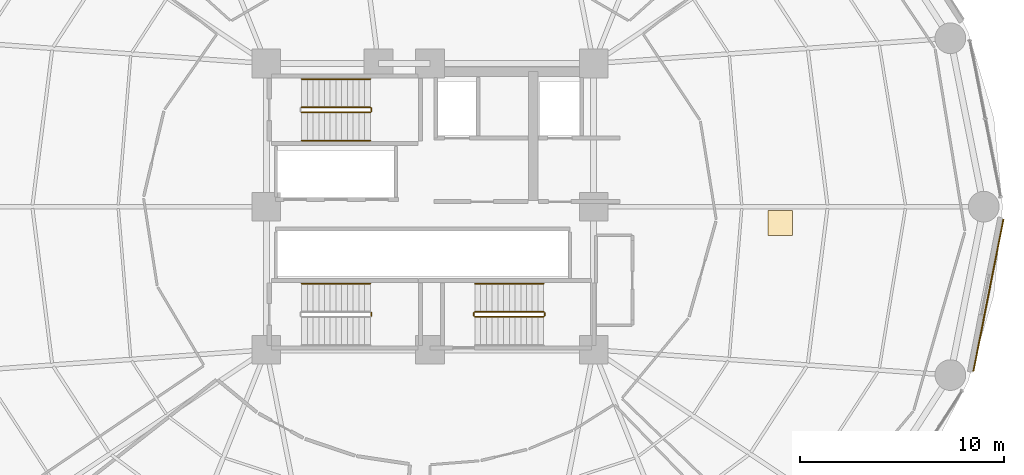
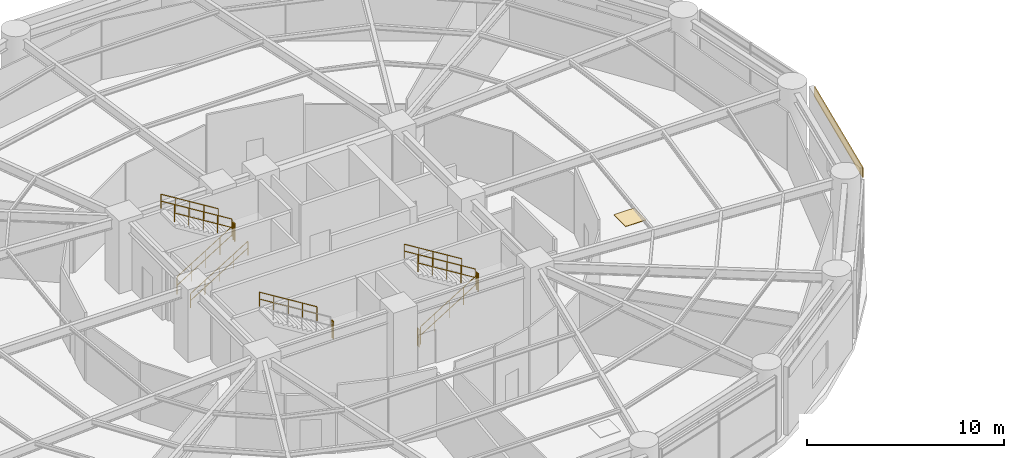
# One storey, part 45 of 46: 12 railings, 2 coverings.
"""IFC4 building model written with IfcOpenShell, lengths in metres."""

from ifc_helpers import new_model, si_unit, direction, frame, origin, origin_2d, place, context, subcontext, project, spatial, polyline, rectangle, outline, extrude, source, transform, mapped, material, layer, layer_set, type_object, element, save


model = new_model("IFC4")

# Units and contexts
model_context = context("Model", 3, precision=1e-05, world=origin(), true_north=direction((0.0, 1.0)))
body_context = subcontext(model_context, "Body", "Model", "MODEL_VIEW")
ifc_project = project(units=[si_unit("LENGTHUNIT", "METRE"), si_unit("AREAUNIT", "SQUARE_METRE"), si_unit("VOLUMEUNIT", "CUBIC_METRE"), si_unit("PLANEANGLEUNIT", "RADIAN"), si_unit("MASSUNIT", "GRAM", prefix="KILO")], contexts=[model_context])

# Site, building, storey
site_placement = place(None, origin())
site = spatial("IfcSite", under=ifc_project, at=site_placement, CompositionType="ELEMENT")
building_placement = place(site_placement, origin())
building = spatial("IfcBuilding", under=site, at=building_placement, Name="Kelanora Arch Commons", CompositionType="ELEMENT")
storey_placement = place(building_placement, frame((0.0, 0.0, 18.0)))
storey = spatial("IfcBuildingStorey", under=building, at=storey_placement, Name="L04", CompositionType="ELEMENT", Elevation=18.0)

# Railings
ifc_material_1 = material(Name="Painted steel stair well guard", Category="steel")
railing_type_1 = type_object("IfcRailingType", Name="RAIL-STAIR-GRD", PredefinedType="GUARDRAIL", material=ifc_material_1)
railing_1_placement = place(storey_placement, frame((67.719970703125, 62.610107421875, 0.173095703125)))
element("IfcRailing", 1, at=railing_1_placement, inside=storey, type_object=railing_type_1, Name="L04 ST-T1 stair guard 1", PredefinedType="GUARDRAIL", context=body_context, shape_type="SweptSolid", body=[
    extrude(outline(polyline([(0.02392578125, 0.0), (0.011962890625, 0.020751953125), (-0.011962890625, 0.020751953125), (-0.02392578125, 0.0), (-0.011962890625, -0.020751953125), (0.011962890625, -0.020751953125), (0.02392578125, 0.0)])), frame((0.0, 0.0, 1.076171875), z_axis=(0.850623216509, 0.0, 0.525775754039), x_axis=(0.0, 1.0, 0.0)), (0.0, 0.0, 1.0), 3.9501953125),
    extrude(outline(polyline([(0.02392578125, 0.0), (0.011962890625, 0.020751953125), (-0.011962890625, 0.020751953125), (-0.02392578125, 0.0), (-0.011962890625, -0.020751953125), (0.011962890625, -0.020751953125), (0.02392578125, 0.0)])), frame((0.0, 0.0, 0.550048828125), z_axis=(0.850623216509, 0.0, 0.525775754039), x_axis=(0.0, 1.0, 0.0)), (0.0, 0.0, 1.0), 3.9501953125),
    extrude(outline(polyline([(0.02099609375, 0.0), (0.010498046875, 0.01806640625), (-0.010498046875, 0.01806640625), (-0.02099609375, 0.0), (-0.010498046875, -0.01806640625), (0.010498046875, -0.01806640625), (0.02099609375, 0.0)])), origin(), (0.0, 0.0, 1.0), 1.052001953125),
    extrude(outline(polyline([(0.02099609375, 0.0), (0.010498046875, 0.01806640625), (-0.010498046875, 0.01806640625), (-0.02099609375, 0.0), (-0.010498046875, -0.01806640625), (0.010498046875, -0.01806640625), (0.02099609375, 0.0)])), frame((0.840087890625, 0.0, 0.519287109375)), (0.0, 0.0, 1.0), 1.052001953125),
    extrude(outline(polyline([(0.02099609375, 0.0), (0.010498046875, 0.01806640625), (-0.010498046875, 0.01806640625), (-0.02099609375, 0.0), (-0.010498046875, -0.01806640625), (0.010498046875, -0.01806640625), (0.02099609375, 0.0)])), frame((1.68017578125, 0.0, 1.03857421875)), (0.0, 0.0, 1.0), 1.052001953125),
    extrude(outline(polyline([(0.02099609375, 0.0), (0.010498046875, 0.01806640625), (-0.010498046875, 0.01806640625), (-0.02099609375, 0.0), (-0.010498046875, -0.01806640625), (0.010498046875, -0.01806640625), (0.02099609375, 0.0)])), frame((2.52001953125, 0.0, 1.5576171875)), (0.0, 0.0, 1.0), 1.052001953125),
    extrude(outline(polyline([(0.02099609375, 0.0), (0.010498046875, 0.01806640625), (-0.010498046875, 0.01806640625), (-0.02099609375, 0.0), (-0.010498046875, -0.01806640625), (0.010498046875, -0.01806640625), (0.02099609375, 0.0)])), frame((3.360107421875, 0.0, 2.076904296875)), (0.0, 0.0, 1.0), 1.052001953125),
])
railing_2_placement = place(storey_placement, frame((71.1298828125, 62.659912109375, 2.25)))
element("IfcRailing", 2, at=railing_2_placement, inside=storey, type_object=railing_type_1, Name="L04 ST-T1 stair guard 2", PredefinedType="GUARDRAIL", context=body_context, shape_type="SweptSolid", body=[
    extrude(outline(polyline([(0.02392578125, 0.0), (0.011962890625, 0.020751953125), (-0.011962890625, 0.020751953125), (-0.02392578125, 0.0), (-0.011962890625, -0.020751953125), (0.011962890625, -0.020751953125), (0.02392578125, 0.0)])), frame((0.0, 0.0, 1.076171875), z_axis=(0.0, 1.0, 0.0), x_axis=(-1.0, 0.0, 0.0)), (0.0, 0.0, 1.0), 0.150146484375),
    extrude(outline(polyline([(0.02392578125, 0.0), (0.011962890625, 0.020751953125), (-0.011962890625, 0.020751953125), (-0.02392578125, 0.0), (-0.011962890625, -0.020751953125), (0.011962890625, -0.020751953125), (0.02392578125, 0.0)])), frame((0.0, 0.0, 0.550048828125), z_axis=(0.0, 1.0, 0.0), x_axis=(-1.0, 0.0, 0.0)), (0.0, 0.0, 1.0), 0.150146484375),
    extrude(outline(polyline([(0.02099609375, 0.0), (0.010498046875, 0.01806640625), (-0.010498046875, 0.01806640625), (-0.02099609375, 0.0), (-0.010498046875, -0.01806640625), (0.010498046875, -0.01806640625), (0.02099609375, 0.0)])), origin(), (0.0, 0.0, 1.0), 1.052001953125),
    extrude(outline(polyline([(0.02099609375, 0.0), (0.010498046875, 0.01806640625), (-0.010498046875, 0.01806640625), (-0.02099609375, 0.0), (-0.010498046875, -0.01806640625), (0.010498046875, -0.01806640625), (0.02099609375, 0.0)])), frame((0.0, 0.150146484375, 0.0)), (0.0, 0.0, 1.0), 1.052001953125),
])
railing_3_placement = place(storey_placement, frame((71.080078125, 62.860107421875, 2.423095703125)))
element("IfcRailing", 3, at=railing_3_placement, inside=storey, type_object=railing_type_1, Name="L04 ST-T1 stair guard 3", PredefinedType="GUARDRAIL", context=body_context, shape_type="SweptSolid", body=[
    extrude(outline(polyline([(0.02392578125, 0.0), (0.011962890625, 0.020751953125), (-0.011962890625, 0.020751953125), (-0.02392578125, 0.0), (-0.011962890625, -0.020751953125), (0.011962890625, -0.020751953125), (0.02392578125, 0.0)])), frame((0.0, 0.0, 1.076171875), z_axis=(-0.850623216509, 0.0, 0.525775754039), x_axis=(0.0, -1.0, 0.0)), (0.0, 0.0, 1.0), 3.9501953125),
    extrude(outline(polyline([(0.02392578125, 0.0), (0.011962890625, 0.020751953125), (-0.011962890625, 0.020751953125), (-0.02392578125, 0.0), (-0.011962890625, -0.020751953125), (0.011962890625, -0.020751953125), (0.02392578125, 0.0)])), frame((0.0, 0.0, 0.550048828125), z_axis=(-0.850623216509, 0.0, 0.525775754039), x_axis=(0.0, -1.0, 0.0)), (0.0, 0.0, 1.0), 3.9501953125),
    extrude(outline(polyline([(0.02099609375, 0.0), (0.010498046875, 0.01806640625), (-0.010498046875, 0.01806640625), (-0.02099609375, 0.0), (-0.010498046875, -0.01806640625), (0.010498046875, -0.01806640625), (0.02099609375, 0.0)])), origin(), (0.0, 0.0, 1.0), 1.052001953125),
    extrude(outline(polyline([(0.02099609375, 0.0), (0.010498046875, 0.01806640625), (-0.010498046875, 0.01806640625), (-0.02099609375, 0.0), (-0.010498046875, -0.01806640625), (0.010498046875, -0.01806640625), (0.02099609375, 0.0)])), frame((-0.840087890625, 0.0, 0.519287109375)), (0.0, 0.0, 1.0), 1.052001953125),
    extrude(outline(polyline([(0.02099609375, 0.0), (0.010498046875, 0.01806640625), (-0.010498046875, 0.01806640625), (-0.02099609375, 0.0), (-0.010498046875, -0.01806640625), (0.010498046875, -0.01806640625), (0.02099609375, 0.0)])), frame((-1.68017578125, 0.0, 1.03857421875)), (0.0, 0.0, 1.0), 1.052001953125),
    extrude(outline(polyline([(0.02099609375, 0.0), (0.010498046875, 0.01806640625), (-0.010498046875, 0.01806640625), (-0.02099609375, 0.0), (-0.010498046875, -0.01806640625), (0.010498046875, -0.01806640625), (0.02099609375, 0.0)])), frame((-2.52001953125, 0.0, 1.5576171875)), (0.0, 0.0, 1.0), 1.052001953125),
    extrude(outline(polyline([(0.02099609375, 0.0), (0.010498046875, 0.01806640625), (-0.010498046875, 0.01806640625), (-0.02099609375, 0.0), (-0.010498046875, -0.01806640625), (0.010498046875, -0.01806640625), (0.02099609375, 0.0)])), frame((-3.360107421875, 0.0, 2.076904296875)), (0.0, 0.0, 1.0), 1.052001953125),
])
railing_4_placement = place(storey_placement, frame((76.199951171875, 52.610107421875, 0.173095703125)))
element("IfcRailing", 4, at=railing_4_placement, inside=storey, type_object=railing_type_1, Name="L04 ST-T2 stair guard 1", PredefinedType="GUARDRAIL", context=body_context, shape_type="SweptSolid", body=[
    extrude(outline(polyline([(0.02392578125, 0.0), (0.011962890625, 0.020751953125), (-0.011962890625, 0.020751953125), (-0.02392578125, 0.0), (-0.011962890625, -0.020751953125), (0.011962890625, -0.020751953125), (0.02392578125, 0.0)])), frame((0.0, 0.0, 1.076171875), z_axis=(0.850623216509, 0.0, 0.525775754039), x_axis=(0.0, 1.0, 0.0)), (0.0, 0.0, 1.0), 3.9501953125),
    extrude(outline(polyline([(0.02392578125, 0.0), (0.011962890625, 0.020751953125), (-0.011962890625, 0.020751953125), (-0.02392578125, 0.0), (-0.011962890625, -0.020751953125), (0.011962890625, -0.020751953125), (0.02392578125, 0.0)])), frame((0.0, 0.0, 0.550048828125), z_axis=(0.850623216509, 0.0, 0.525775754039), x_axis=(0.0, 1.0, 0.0)), (0.0, 0.0, 1.0), 3.9501953125),
    extrude(outline(polyline([(0.02099609375, 0.0), (0.010498046875, 0.01806640625), (-0.010498046875, 0.01806640625), (-0.02099609375, 0.0), (-0.010498046875, -0.01806640625), (0.010498046875, -0.01806640625), (0.02099609375, 0.0)])), origin(), (0.0, 0.0, 1.0), 1.052001953125),
    extrude(outline(polyline([(0.02099609375, 0.0), (0.010498046875, 0.01806640625), (-0.010498046875, 0.01806640625), (-0.02099609375, 0.0), (-0.010498046875, -0.01806640625), (0.010498046875, -0.01806640625), (0.02099609375, 0.0)])), frame((0.840087890625, 0.0, 0.519287109375)), (0.0, 0.0, 1.0), 1.052001953125),
    extrude(outline(polyline([(0.02099609375, 0.0), (0.010498046875, 0.01806640625), (-0.010498046875, 0.01806640625), (-0.02099609375, 0.0), (-0.010498046875, -0.01806640625), (0.010498046875, -0.01806640625), (0.02099609375, 0.0)])), frame((1.68017578125, 0.0, 1.03857421875)), (0.0, 0.0, 1.0), 1.052001953125),
    extrude(outline(polyline([(0.02099609375, 0.0), (0.010498046875, 0.01806640625), (-0.010498046875, 0.01806640625), (-0.02099609375, 0.0), (-0.010498046875, -0.01806640625), (0.010498046875, -0.01806640625), (0.02099609375, 0.0)])), frame((2.52001953125, 0.0, 1.5576171875)), (0.0, 0.0, 1.0), 1.052001953125),
    extrude(outline(polyline([(0.02099609375, 0.0), (0.010498046875, 0.01806640625), (-0.010498046875, 0.01806640625), (-0.02099609375, 0.0), (-0.010498046875, -0.01806640625), (0.010498046875, -0.01806640625), (0.02099609375, 0.0)])), frame((3.360107421875, 0.0, 2.076904296875)), (0.0, 0.0, 1.0), 1.052001953125),
])
railing_5_placement = place(storey_placement, frame((79.610107421875, 52.659912109375, 2.25)))
element("IfcRailing", 5, at=railing_5_placement, inside=storey, type_object=railing_type_1, Name="L04 ST-T2 stair guard 2", PredefinedType="GUARDRAIL", context=body_context, shape_type="SweptSolid", body=[
    extrude(outline(polyline([(0.02392578125, 0.0), (0.011962890625, 0.020751953125), (-0.011962890625, 0.020751953125), (-0.02392578125, 0.0), (-0.011962890625, -0.020751953125), (0.011962890625, -0.020751953125), (0.02392578125, 0.0)])), frame((0.0, 0.0, 1.076171875), z_axis=(0.0, 1.0, 0.0), x_axis=(-1.0, 0.0, 0.0)), (0.0, 0.0, 1.0), 0.150146484375),
    extrude(outline(polyline([(0.02392578125, 0.0), (0.011962890625, 0.020751953125), (-0.011962890625, 0.020751953125), (-0.02392578125, 0.0), (-0.011962890625, -0.020751953125), (0.011962890625, -0.020751953125), (0.02392578125, 0.0)])), frame((0.0, 0.0, 0.550048828125), z_axis=(0.0, 1.0, 0.0), x_axis=(-1.0, 0.0, 0.0)), (0.0, 0.0, 1.0), 0.150146484375),
    extrude(outline(polyline([(0.02099609375, 0.0), (0.010498046875, 0.01806640625), (-0.010498046875, 0.01806640625), (-0.02099609375, 0.0), (-0.010498046875, -0.01806640625), (0.010498046875, -0.01806640625), (0.02099609375, 0.0)])), origin(), (0.0, 0.0, 1.0), 1.052001953125),
    extrude(outline(polyline([(0.02099609375, 0.0), (0.010498046875, 0.01806640625), (-0.010498046875, 0.01806640625), (-0.02099609375, 0.0), (-0.010498046875, -0.01806640625), (0.010498046875, -0.01806640625), (0.02099609375, 0.0)])), frame((0.0, 0.150146484375, 0.0)), (0.0, 0.0, 1.0), 1.052001953125),
])
railing_6_placement = place(storey_placement, frame((79.56005859375, 52.860107421875, 2.423095703125)))
element("IfcRailing", 6, at=railing_6_placement, inside=storey, type_object=railing_type_1, Name="L04 ST-T2 stair guard 3", PredefinedType="GUARDRAIL", context=body_context, shape_type="SweptSolid", body=[
    extrude(outline(polyline([(0.02392578125, 0.0), (0.011962890625, 0.020751953125), (-0.011962890625, 0.020751953125), (-0.02392578125, 0.0), (-0.011962890625, -0.020751953125), (0.011962890625, -0.020751953125), (0.02392578125, 0.0)])), frame((0.0, 0.0, 1.076171875), z_axis=(-0.850623216509, 0.0, 0.525775754039), x_axis=(0.0, -1.0, 0.0)), (0.0, 0.0, 1.0), 3.9501953125),
    extrude(outline(polyline([(0.02392578125, 0.0), (0.011962890625, 0.020751953125), (-0.011962890625, 0.020751953125), (-0.02392578125, 0.0), (-0.011962890625, -0.020751953125), (0.011962890625, -0.020751953125), (0.02392578125, 0.0)])), frame((0.0, 0.0, 0.550048828125), z_axis=(-0.850623216509, 0.0, 0.525775754039), x_axis=(0.0, -1.0, 0.0)), (0.0, 0.0, 1.0), 3.9501953125),
    extrude(outline(polyline([(0.02099609375, 0.0), (0.010498046875, 0.01806640625), (-0.010498046875, 0.01806640625), (-0.02099609375, 0.0), (-0.010498046875, -0.01806640625), (0.010498046875, -0.01806640625), (0.02099609375, 0.0)])), origin(), (0.0, 0.0, 1.0), 1.052001953125),
    extrude(outline(polyline([(0.02099609375, 0.0), (0.010498046875, 0.01806640625), (-0.010498046875, 0.01806640625), (-0.02099609375, 0.0), (-0.010498046875, -0.01806640625), (0.010498046875, -0.01806640625), (0.02099609375, 0.0)])), frame((-0.840087890625, 0.0, 0.519287109375)), (0.0, 0.0, 1.0), 1.052001953125),
    extrude(outline(polyline([(0.02099609375, 0.0), (0.010498046875, 0.01806640625), (-0.010498046875, 0.01806640625), (-0.02099609375, 0.0), (-0.010498046875, -0.01806640625), (0.010498046875, -0.01806640625), (0.02099609375, 0.0)])), frame((-1.68017578125, 0.0, 1.03857421875)), (0.0, 0.0, 1.0), 1.052001953125),
    extrude(outline(polyline([(0.02099609375, 0.0), (0.010498046875, 0.01806640625), (-0.010498046875, 0.01806640625), (-0.02099609375, 0.0), (-0.010498046875, -0.01806640625), (0.010498046875, -0.01806640625), (0.02099609375, 0.0)])), frame((-2.52001953125, 0.0, 1.5576171875)), (0.0, 0.0, 1.0), 1.052001953125),
    extrude(outline(polyline([(0.02099609375, 0.0), (0.010498046875, 0.01806640625), (-0.010498046875, 0.01806640625), (-0.02099609375, 0.0), (-0.010498046875, -0.01806640625), (0.010498046875, -0.01806640625), (0.02099609375, 0.0)])), frame((-3.360107421875, 0.0, 2.076904296875)), (0.0, 0.0, 1.0), 1.052001953125),
])
for number, where, name in (
    (7, (76.14990234375, 52.659912109375, 0.0), "L04 ST-T2 stair guard 4"),
    (8, (71.1298828125, 52.659912109375, 2.25), "L04 ST-T3 stair guard 2"),
):
    element("IfcRailing", number, at=place(storey_placement, frame(where)), inside=storey, type_object=railing_type_1, Name=name, PredefinedType="GUARDRAIL", context=body_context, shape_type="SweptSolid", body=[
        extrude(outline(polyline([(0.02392578125, 0.0), (0.011962890625, 0.020751953125), (-0.011962890625, 0.020751953125), (-0.02392578125, 0.0), (-0.011962890625, -0.020751953125), (0.011962890625, -0.020751953125), (0.02392578125, 0.0)])), frame((0.0, 0.0, 1.076171875), z_axis=(0.0, 1.0, 0.0), x_axis=(-1.0, 0.0, 0.0)), (0.0, 0.0, 1.0), 0.150146484375),
        extrude(outline(polyline([(0.02392578125, 0.0), (0.011962890625, 0.020751953125), (-0.011962890625, 0.020751953125), (-0.02392578125, 0.0), (-0.011962890625, -0.020751953125), (0.011962890625, -0.020751953125), (0.02392578125, 0.0)])), frame((0.0, 0.0, 0.550048828125), z_axis=(0.0, 1.0, 0.0), x_axis=(-1.0, 0.0, 0.0)), (0.0, 0.0, 1.0), 0.150146484375),
        extrude(outline(polyline([(0.02099609375, 0.0), (0.010498046875, 0.01806640625), (-0.010498046875, 0.01806640625), (-0.02099609375, 0.0), (-0.010498046875, -0.01806640625), (0.010498046875, -0.01806640625), (0.02099609375, 0.0)])), origin(), (0.0, 0.0, 1.0), 1.052001953125),
        extrude(outline(polyline([(0.02099609375, 0.0), (0.010498046875, 0.01806640625), (-0.010498046875, 0.01806640625), (-0.02099609375, 0.0), (-0.010498046875, -0.01806640625), (0.010498046875, -0.01806640625), (0.02099609375, 0.0)])), frame((0.0, 0.150146484375, 0.0)), (0.0, 0.0, 1.0), 1.052001953125),
    ])
ifc_material_2 = material(Name="Brushed stainless steel stair handrail", Category="steel")
railing_type_2 = type_object("IfcRailingType", Name="RAIL-STAIR-HND", PredefinedType="HANDRAIL", material=ifc_material_2)
railing_7_placement = place(storey_placement, frame((67.719970703125, 61.22998046875, 0.173095703125)))
element("IfcRailing", 9, at=railing_7_placement, inside=storey, type_object=railing_type_2, Name="L04 ST-T1 stair handrail 1", PredefinedType="HANDRAIL", context=body_context, shape_type="SweptSolid", body=[
    extrude(outline(polyline([(0.02392578125, 0.0), (0.011962890625, 0.020751953125), (-0.011962890625, 0.020751953125), (-0.02392578125, 0.0), (-0.011962890625, -0.020751953125), (0.011962890625, -0.020751953125), (0.02392578125, 0.0)])), frame((0.0, 0.0, 0.8759765625), z_axis=(0.850623216509, 0.0, 0.525775754039), x_axis=(0.0, 1.0, 0.0)), (0.0, 0.0, 1.0), 3.9501953125),
    extrude(outline(polyline([(0.02392578125, 0.0), (0.011962890625, 0.020751953125), (-0.011962890625, 0.020751953125), (-0.02392578125, 0.0), (-0.011962890625, -0.020751953125), (0.011962890625, -0.020751953125), (0.02392578125, 0.0)])), frame((0.0, 0.0, 0.449951171875), z_axis=(0.850623216509, 0.0, 0.525775754039), x_axis=(0.0, 1.0, 0.0)), (0.0, 0.0, 1.0), 3.9501953125),
    extrude(outline(polyline([(0.02099609375, 0.0), (0.010498046875, 0.01806640625), (-0.010498046875, 0.01806640625), (-0.02099609375, 0.0), (-0.010498046875, -0.01806640625), (0.010498046875, -0.01806640625), (0.02099609375, 0.0)])), origin(), (0.0, 0.0, 1.0), 0.851806640625),
    extrude(outline(polyline([(0.02099609375, 0.0), (0.010498046875, 0.01806640625), (-0.010498046875, 0.01806640625), (-0.02099609375, 0.0), (-0.010498046875, -0.01806640625), (0.010498046875, -0.01806640625), (0.02099609375, 0.0)])), frame((0.840087890625, 0.0, 0.519287109375)), (0.0, 0.0, 1.0), 0.851806640625),
    extrude(outline(polyline([(0.02099609375, 0.0), (0.010498046875, 0.01806640625), (-0.010498046875, 0.01806640625), (-0.02099609375, 0.0), (-0.010498046875, -0.01806640625), (0.010498046875, -0.01806640625), (0.02099609375, 0.0)])), frame((1.68017578125, 0.0, 1.03857421875)), (0.0, 0.0, 1.0), 0.851806640625),
    extrude(outline(polyline([(0.02099609375, 0.0), (0.010498046875, 0.01806640625), (-0.010498046875, 0.01806640625), (-0.02099609375, 0.0), (-0.010498046875, -0.01806640625), (0.010498046875, -0.01806640625), (0.02099609375, 0.0)])), frame((2.52001953125, 0.0, 1.5576171875)), (0.0, 0.0, 1.0), 0.851806640625),
    extrude(outline(polyline([(0.02099609375, 0.0), (0.010498046875, 0.01806640625), (-0.010498046875, 0.01806640625), (-0.02099609375, 0.0), (-0.010498046875, -0.01806640625), (0.010498046875, -0.01806640625), (0.02099609375, 0.0)])), frame((3.360107421875, 0.0, 2.076904296875)), (0.0, 0.0, 1.0), 0.851806640625),
])
railing_8_placement = place(storey_placement, frame((71.080078125, 64.239990234375, 2.423095703125)))
element("IfcRailing", 10, at=railing_8_placement, inside=storey, type_object=railing_type_2, Name="L04 ST-T1 stair handrail 2", PredefinedType="HANDRAIL", context=body_context, shape_type="SweptSolid", body=[
    extrude(outline(polyline([(0.02392578125, 0.0), (0.011962890625, 0.020751953125), (-0.011962890625, 0.020751953125), (-0.02392578125, 0.0), (-0.011962890625, -0.020751953125), (0.011962890625, -0.020751953125), (0.02392578125, 0.0)])), frame((0.0, 0.0, 0.8759765625), z_axis=(-0.850623216509, 0.0, 0.525775754039), x_axis=(0.0, -1.0, 0.0)), (0.0, 0.0, 1.0), 3.9501953125),
    extrude(outline(polyline([(0.02392578125, 0.0), (0.011962890625, 0.020751953125), (-0.011962890625, 0.020751953125), (-0.02392578125, 0.0), (-0.011962890625, -0.020751953125), (0.011962890625, -0.020751953125), (0.02392578125, 0.0)])), frame((0.0, 0.0, 0.449951171875), z_axis=(-0.850623216509, 0.0, 0.525775754039), x_axis=(0.0, -1.0, 0.0)), (0.0, 0.0, 1.0), 3.9501953125),
    extrude(outline(polyline([(0.02099609375, 0.0), (0.010498046875, 0.01806640625), (-0.010498046875, 0.01806640625), (-0.02099609375, 0.0), (-0.010498046875, -0.01806640625), (0.010498046875, -0.01806640625), (0.02099609375, 0.0)])), origin(), (0.0, 0.0, 1.0), 0.851806640625),
    extrude(outline(polyline([(0.02099609375, 0.0), (0.010498046875, 0.01806640625), (-0.010498046875, 0.01806640625), (-0.02099609375, 0.0), (-0.010498046875, -0.01806640625), (0.010498046875, -0.01806640625), (0.02099609375, 0.0)])), frame((-0.840087890625, 0.0, 0.519287109375)), (0.0, 0.0, 1.0), 0.851806640625),
    extrude(outline(polyline([(0.02099609375, 0.0), (0.010498046875, 0.01806640625), (-0.010498046875, 0.01806640625), (-0.02099609375, 0.0), (-0.010498046875, -0.01806640625), (0.010498046875, -0.01806640625), (0.02099609375, 0.0)])), frame((-1.68017578125, 0.0, 1.03857421875)), (0.0, 0.0, 1.0), 0.851806640625),
    extrude(outline(polyline([(0.02099609375, 0.0), (0.010498046875, 0.01806640625), (-0.010498046875, 0.01806640625), (-0.02099609375, 0.0), (-0.010498046875, -0.01806640625), (0.010498046875, -0.01806640625), (0.02099609375, 0.0)])), frame((-2.52001953125, 0.0, 1.5576171875)), (0.0, 0.0, 1.0), 0.851806640625),
    extrude(outline(polyline([(0.02099609375, 0.0), (0.010498046875, 0.01806640625), (-0.010498046875, 0.01806640625), (-0.02099609375, 0.0), (-0.010498046875, -0.01806640625), (0.010498046875, -0.01806640625), (0.02099609375, 0.0)])), frame((-3.360107421875, 0.0, 2.076904296875)), (0.0, 0.0, 1.0), 0.851806640625),
])
railing_9_placement = place(storey_placement, frame((79.56005859375, 54.239990234375, 2.423095703125)))
element("IfcRailing", 11, at=railing_9_placement, inside=storey, type_object=railing_type_2, Name="L04 ST-T2 stair handrail 2", PredefinedType="HANDRAIL", context=body_context, shape_type="SweptSolid", body=[
    extrude(outline(polyline([(0.02392578125, 0.0), (0.011962890625, 0.020751953125), (-0.011962890625, 0.020751953125), (-0.02392578125, 0.0), (-0.011962890625, -0.020751953125), (0.011962890625, -0.020751953125), (0.02392578125, 0.0)])), frame((0.0, 0.0, 0.8759765625), z_axis=(-0.850623216509, 0.0, 0.525775754039), x_axis=(0.0, -1.0, 0.0)), (0.0, 0.0, 1.0), 3.9501953125),
    extrude(outline(polyline([(0.02392578125, 0.0), (0.011962890625, 0.020751953125), (-0.011962890625, 0.020751953125), (-0.02392578125, 0.0), (-0.011962890625, -0.020751953125), (0.011962890625, -0.020751953125), (0.02392578125, 0.0)])), frame((0.0, 0.0, 0.449951171875), z_axis=(-0.850623216509, 0.0, 0.525775754039), x_axis=(0.0, -1.0, 0.0)), (0.0, 0.0, 1.0), 3.9501953125),
    extrude(outline(polyline([(0.02099609375, 0.0), (0.010498046875, 0.01806640625), (-0.010498046875, 0.01806640625), (-0.02099609375, 0.0), (-0.010498046875, -0.01806640625), (0.010498046875, -0.01806640625), (0.02099609375, 0.0)])), origin(), (0.0, 0.0, 1.0), 0.851806640625),
    extrude(outline(polyline([(0.02099609375, 0.0), (0.010498046875, 0.01806640625), (-0.010498046875, 0.01806640625), (-0.02099609375, 0.0), (-0.010498046875, -0.01806640625), (0.010498046875, -0.01806640625), (0.02099609375, 0.0)])), frame((-0.840087890625, 0.0, 0.519287109375)), (0.0, 0.0, 1.0), 0.851806640625),
    extrude(outline(polyline([(0.02099609375, 0.0), (0.010498046875, 0.01806640625), (-0.010498046875, 0.01806640625), (-0.02099609375, 0.0), (-0.010498046875, -0.01806640625), (0.010498046875, -0.01806640625), (0.02099609375, 0.0)])), frame((-1.68017578125, 0.0, 1.03857421875)), (0.0, 0.0, 1.0), 0.851806640625),
    extrude(outline(polyline([(0.02099609375, 0.0), (0.010498046875, 0.01806640625), (-0.010498046875, 0.01806640625), (-0.02099609375, 0.0), (-0.010498046875, -0.01806640625), (0.010498046875, -0.01806640625), (0.02099609375, 0.0)])), frame((-2.52001953125, 0.0, 1.5576171875)), (0.0, 0.0, 1.0), 0.851806640625),
    extrude(outline(polyline([(0.02099609375, 0.0), (0.010498046875, 0.01806640625), (-0.010498046875, 0.01806640625), (-0.02099609375, 0.0), (-0.010498046875, -0.01806640625), (0.010498046875, -0.01806640625), (0.02099609375, 0.0)])), frame((-3.360107421875, 0.0, 2.076904296875)), (0.0, 0.0, 1.0), 0.851806640625),
])
railing_10_placement = place(storey_placement, frame((71.080078125, 54.239990234375, 2.423095703125)))
element("IfcRailing", 12, at=railing_10_placement, inside=storey, type_object=railing_type_2, Name="L04 ST-T3 stair handrail 2", PredefinedType="HANDRAIL", context=body_context, shape_type="SweptSolid", body=[
    extrude(outline(polyline([(0.02392578125, 0.0), (0.011962890625, 0.020751953125), (-0.011962890625, 0.020751953125), (-0.02392578125, 0.0), (-0.011962890625, -0.020751953125), (0.011962890625, -0.020751953125), (0.02392578125, 0.0)])), frame((0.0, 0.0, 0.8759765625), z_axis=(-0.850623216509, 0.0, 0.525775754039), x_axis=(0.0, -1.0, 0.0)), (0.0, 0.0, 1.0), 3.9501953125),
    extrude(outline(polyline([(0.02392578125, 0.0), (0.011962890625, 0.020751953125), (-0.011962890625, 0.020751953125), (-0.02392578125, 0.0), (-0.011962890625, -0.020751953125), (0.011962890625, -0.020751953125), (0.02392578125, 0.0)])), frame((0.0, 0.0, 0.449951171875), z_axis=(-0.850623216509, 0.0, 0.525775754039), x_axis=(0.0, -1.0, 0.0)), (0.0, 0.0, 1.0), 3.9501953125),
    extrude(outline(polyline([(0.02099609375, 0.0), (0.010498046875, 0.01806640625), (-0.010498046875, 0.01806640625), (-0.02099609375, 0.0), (-0.010498046875, -0.01806640625), (0.010498046875, -0.01806640625), (0.02099609375, 0.0)])), origin(), (0.0, 0.0, 1.0), 0.851806640625),
    extrude(outline(polyline([(0.02099609375, 0.0), (0.010498046875, 0.01806640625), (-0.010498046875, 0.01806640625), (-0.02099609375, 0.0), (-0.010498046875, -0.01806640625), (0.010498046875, -0.01806640625), (0.02099609375, 0.0)])), frame((-0.840087890625, 0.0, 0.519287109375)), (0.0, 0.0, 1.0), 0.851806640625),
    extrude(outline(polyline([(0.02099609375, 0.0), (0.010498046875, 0.01806640625), (-0.010498046875, 0.01806640625), (-0.02099609375, 0.0), (-0.010498046875, -0.01806640625), (0.010498046875, -0.01806640625), (0.02099609375, 0.0)])), frame((-1.68017578125, 0.0, 1.03857421875)), (0.0, 0.0, 1.0), 0.851806640625),
    extrude(outline(polyline([(0.02099609375, 0.0), (0.010498046875, 0.01806640625), (-0.010498046875, 0.01806640625), (-0.02099609375, 0.0), (-0.010498046875, -0.01806640625), (0.010498046875, -0.01806640625), (0.02099609375, 0.0)])), frame((-2.52001953125, 0.0, 1.5576171875)), (0.0, 0.0, 1.0), 0.851806640625),
    extrude(outline(polyline([(0.02099609375, 0.0), (0.010498046875, 0.01806640625), (-0.010498046875, 0.01806640625), (-0.02099609375, 0.0), (-0.010498046875, -0.01806640625), (0.010498046875, -0.01806640625), (0.02099609375, 0.0)])), frame((-3.360107421875, 0.0, 2.076904296875)), (0.0, 0.0, 1.0), 0.851806640625),
])

# Coverings
ifc_material_3 = material(Name="Glazed architectural terracotta spandrel cladding", Category="masonry")
ifc_layer_1 = layer(ifc_material_3, 0.06005859375)
ifc_layer_set_1 = layer_set([ifc_layer_1], Name="Glazed architectural terracotta spandrel cladding")
covering_type_1 = type_object("IfcCoveringType", Name="COV-CLAD-TC", PredefinedType="CLADDING", material=ifc_layer_set_1)
shared_shape_1 = source(origin(), body_context, "Body", "SweptSolid", [
    extrude(rectangle(XDim=7.58251953125, YDim=0.06005859375, at=origin_2d()), origin(), (0.0, 0.0, 1.0), 0.60009765625),
])
covering_1_placement = place(storey_placement, frame((101.305419921875, 53.66748046875, 3.574951171875), z_axis=(0.0, 0.0, 1.0), x_axis=(0.19374368704, 0.981052181962, 0.0)))
element("IfcCovering", 13, at=covering_1_placement, inside=storey, type_object=covering_type_1, Name="Terracotta Spandrel Cladding L04-B17", PredefinedType="CLADDING", context=body_context, shape_type="MappedRepresentation", body=[
    mapped(shared_shape_1, transform((0.0, 0.0, 0.0), scale=1.0)),
])
ifc_material_4 = material(Name="Polished local granite terrazzo flooring", Category="masonry")
ifc_layer_2 = layer(ifc_material_4, 0.030029296875)
ifc_layer_set_2 = layer_set([ifc_layer_2], Name="Polished local granite terrazzo flooring")
covering_type_2 = type_object("IfcCoveringType", Name="COV-FLR-TER", PredefinedType="FLOORING", material=ifc_layer_set_2)
shared_shape_2 = source(origin(), body_context, "Body", "SweptSolid", [
    extrude(rectangle(XDim=1.199951171875, YDim=1.199951171875, at=origin_2d()), origin(), (0.0, 0.0, 1.0), 0.030029296875),
])
covering_2_placement = place(storey_placement, frame((91.1181640625, 57.201171875, 0.0), z_axis=(0.0, 0.0, 1.0), x_axis=(1.0, 0.0, 0.0)))
element("IfcCovering", 14, at=covering_2_placement, inside=storey, type_object=covering_type_2, Name="Student Co-Working and Study Commons L04-A Terrazzo Finish", PredefinedType="FLOORING", context=body_context, shape_type="MappedRepresentation", body=[
    mapped(shared_shape_2, transform((0.0, 0.0, 0.0), scale=1.0)),
])

save(model, "model.ifc")
